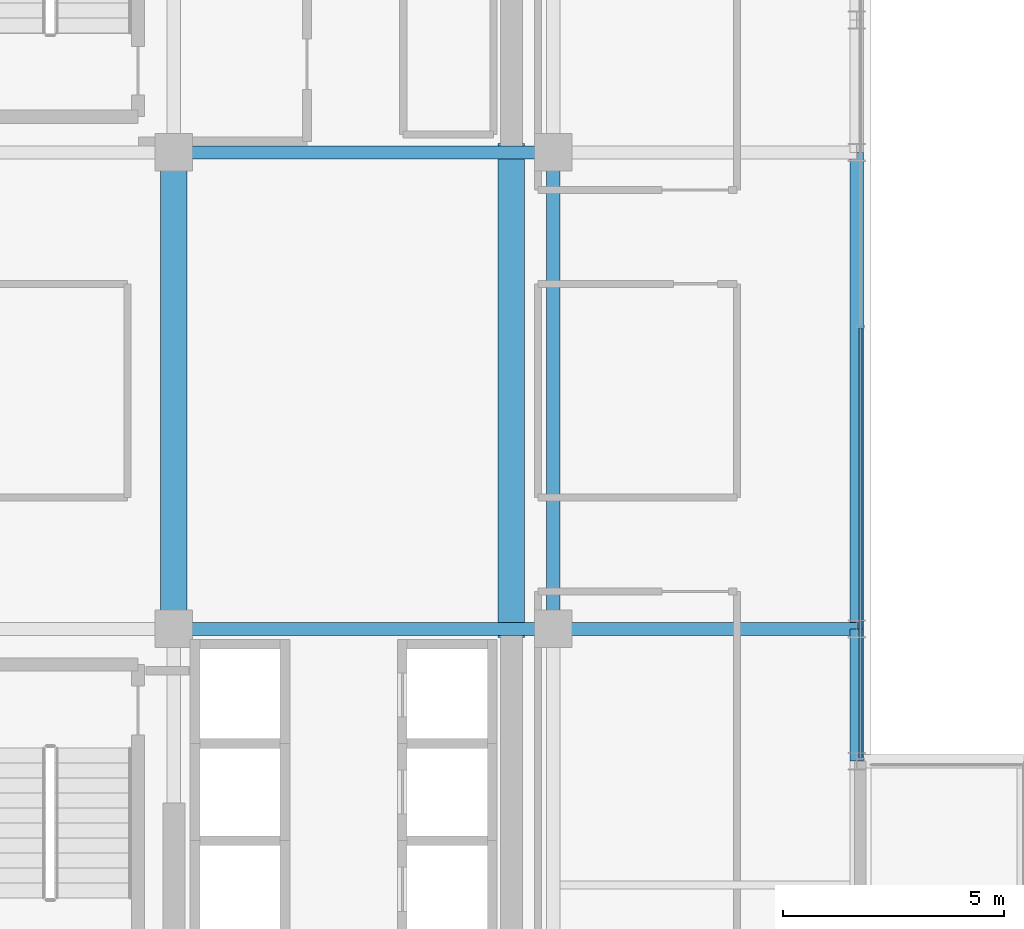
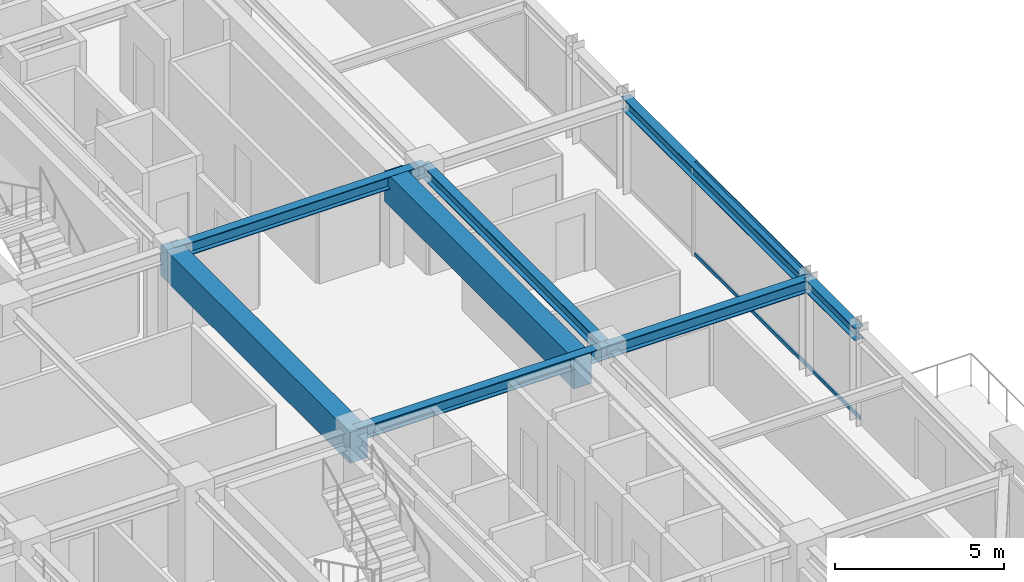
# One storey, part 16 of 42: 8 beams, 2 members, 1 element without a shape of its own.
"""IFC4 building model written with IfcOpenShell, lengths in metres."""

from ifc_helpers import new_model, si_unit, direction, frame, origin, origin_2d, place, context, subcontext, project, spatial, rectangle, hollow_rectangle, i_section, extrude, source, transform, mapped, material, material_profile, profile_set, type_object, element, aggregate, save


model = new_model("IFC4")

# Units and contexts
model_context = context("Model", 3, precision=1e-05, world=origin(), true_north=direction((0.0, 1.0)))
body_context = subcontext(model_context, "Body", "Model", "MODEL_VIEW")
ifc_project = project(units=[si_unit("LENGTHUNIT", "METRE"), si_unit("AREAUNIT", "SQUARE_METRE"), si_unit("VOLUMEUNIT", "CUBIC_METRE"), si_unit("PLANEANGLEUNIT", "RADIAN"), si_unit("MASSUNIT", "GRAM", prefix="KILO")], contexts=[model_context])

# Site, building, storey
site_placement = place(None, origin())
site = spatial("IfcSite", under=ifc_project, at=site_placement, CompositionType="ELEMENT")
building_placement = place(site_placement, origin())
building = spatial("IfcBuilding", under=site, at=building_placement, Name="Nahalor Promenade Grand Hotel", CompositionType="ELEMENT")
storey_placement = place(building_placement, frame((0.0, 0.0, 249.300048828125)))
storey = spatial("IfcBuildingStorey", under=building, at=storey_placement, Name="L64", CompositionType="ELEMENT", Elevation=249.300048828125)

# Beams
ifc_material_1 = material(Name="Concrete B-60 (C50/60)", Category="concrete")
ifc_material_profile_1 = material_profile(ifc_material_1, rectangle(XDim=0.6, YDim=1.1, at=origin_2d()), Name="RC 600x1100")
ifc_profile_set_1 = profile_set([ifc_material_profile_1], Name="Concrete B-60 (C50/60)")
beam_type_1 = type_object("IfcBeamType", Name="Beam-Lintel-RC1100", PredefinedType="LINTEL", material=ifc_profile_set_1)
shared_shape_1 = source(origin(), body_context, "Body", "SweptSolid", [
    extrude(rectangle(XDim=0.6, YDim=1.1, at=origin_2d()), origin(), (0.0, 0.0, 1.0), 11.2001953125),
])
for number, where, z_axis, x_axis, name in (
    (1, (8.39990234375, -5.60009765625, 2.85986328125), (0.0, 1.0, 0.0), (-1.0, 0.0, 0.0), "BM-L64-LINT-W"),
    (2, (16.050048828125, -5.60009765625, 2.85986328125), (0.0, 1.0, 0.0), (-1.0, 0.0, 0.0), "BM-L64-LINT-E"),
):
    element("IfcBeam", number, at=place(storey_placement, frame(where, z_axis=z_axis, x_axis=x_axis)), inside=storey, type_object=beam_type_1, Name=name, PredefinedType="LINTEL", context=body_context, shape_type="MappedRepresentation", body=[
        mapped(shared_shape_1, transform((0.0, 0.0, 0.0), scale=1.0)),
    ])
ifc_material_2 = material(Name="Steel S355JR", Category="steel")
ifc_material_profile_2 = material_profile(ifc_material_2, i_section(OverallWidth=0.3, OverallDepth=0.45, WebThickness=0.014, FlangeThickness=0.026, at=origin_2d()), Name="HEB 450")
ifc_profile_set_2 = profile_set([ifc_material_profile_2], Name="Steel S355JR")
beam_type_2 = type_object("IfcBeamType", Name="Beam-Spandrel-HEB450", PredefinedType="SPANDREL", material=ifc_profile_set_2)
shared_shape_2 = source(origin(), body_context, "Body", "SweptSolid", [
    extrude(i_section(OverallWidth=0.3, OverallDepth=0.45, WebThickness=0.014, FlangeThickness=0.026, at=origin_2d()), origin(), (0.0, 0.0, 1.0), 3.0),
])
beam_1_placement = place(storey_placement, frame((23.8798828125, -8.39990234375, 3.18505859375), z_axis=(0.0, 1.0, 0.0), x_axis=(-1.0, 0.0, 0.0)))
element("IfcBeam", 3, at=beam_1_placement, inside=storey, type_object=beam_type_2, Name="BM-L64-SP-E-1", PredefinedType="SPANDREL", context=body_context, shape_type="MappedRepresentation", body=[
    mapped(shared_shape_2, transform((0.0, 0.0, 0.0), scale=1.0)),
])
shared_shape_3 = source(origin(), body_context, "Body", "SweptSolid", [
    extrude(i_section(OverallWidth=0.3, OverallDepth=0.45, WebThickness=0.014, FlangeThickness=0.026, at=origin_2d()), origin(), (0.0, 0.0, 1.0), 10.7998046875),
])
beam_2_placement = place(storey_placement, frame((23.8798828125, -5.39990234375, 3.18505859375), z_axis=(0.0, 1.0, 0.0), x_axis=(-1.0, 0.0, 0.0)))
element("IfcBeam", 4, at=beam_2_placement, inside=storey, type_object=beam_type_2, Name="BM-L64-SP-E-2", PredefinedType="SPANDREL", context=body_context, shape_type="MappedRepresentation", body=[
    mapped(shared_shape_3, transform((0.0, 0.0, 0.0), scale=1.0)),
])
ifc_material_profile_3 = material_profile(ifc_material_2, i_section(OverallWidth=0.3, OverallDepth=0.45, WebThickness=0.014, FlangeThickness=0.026, at=origin_2d()), Name="HEB 450")
ifc_profile_set_3 = profile_set([ifc_material_profile_3], Name="Steel S355JR")
beam_type_3 = type_object("IfcBeamType", Name="Beam-Girder-HEB450", PredefinedType="BEAM", material=ifc_profile_set_3)
shared_shape_4 = source(origin(), body_context, "Body", "SweptSolid", [
    extrude(i_section(OverallWidth=0.3, OverallDepth=0.45, WebThickness=0.014, FlangeThickness=0.026, at=origin_2d()), origin(), (0.0, 0.0, 1.0), 6.8798828125),
])
beam_3_placement = place(storey_placement, frame((17.0, -5.39990234375, 3.18505859375), z_axis=(1.0, 0.0, 0.0), x_axis=(0.0, 1.0, 0.0)))
element("IfcBeam", 5, at=beam_3_placement, inside=storey, type_object=beam_type_3, Name="BM-L64-GX-1-6", PredefinedType="BEAM", context=body_context, shape_type="MappedRepresentation", body=[
    mapped(shared_shape_4, transform((0.0, 0.0, 0.0), scale=1.0)),
])
shared_shape_5 = source(origin(), body_context, "Body", "SweptSolid", [
    extrude(i_section(OverallWidth=0.3, OverallDepth=0.45, WebThickness=0.014, FlangeThickness=0.026, at=origin_2d()), origin(), (0.0, 0.0, 1.0), 8.60009765625),
])
for number, where, z_axis, x_axis, name in (
    (6, (8.39990234375, -5.39990234375, 3.18505859375), (1.0, 0.0, 0.0), (0.0, 1.0, 0.0), "BM-L64-GX-1-5"),
    (7, (8.39990234375, 5.39990234375, 3.18505859375), (1.0, 0.0, 0.0), (0.0, 1.0, 0.0), "BM-L64-GX-2-5"),
):
    element("IfcBeam", number, at=place(storey_placement, frame(where, z_axis=z_axis, x_axis=x_axis)), inside=storey, type_object=beam_type_3, Name=name, PredefinedType="BEAM", context=body_context, shape_type="MappedRepresentation", body=[
        mapped(shared_shape_5, transform((0.0, 0.0, 0.0), scale=1.0)),
    ])
shared_shape_6 = source(origin(), body_context, "Body", "SweptSolid", [
    extrude(i_section(OverallWidth=0.3, OverallDepth=0.45, WebThickness=0.014, FlangeThickness=0.026, at=origin_2d()), origin(), (0.0, 0.0, 1.0), 10.7998046875),
])
beam_4_placement = place(storey_placement, frame((17.0, -5.39990234375, 3.18505859375), z_axis=(0.0, 1.0, 0.0), x_axis=(-1.0, 0.0, 0.0)))
element("IfcBeam", 8, at=beam_4_placement, inside=storey, type_object=beam_type_3, Name="BM-L64-GY-5-2", PredefinedType="BEAM", context=body_context, shape_type="MappedRepresentation", body=[
    mapped(shared_shape_6, transform((0.0, 0.0, 0.0), scale=1.0)),
])

# Curtain wall, members
ifc_material_3 = material(Name="Anodised Bronze Aluminium EN AW-6063 T6", Category="aluminium")
curtain_wall_type = type_object("IfcCurtainWallType", Name="CW2 Typical Hotel Flush Bronze Unitised Curtain Wall", PredefinedType="USERDEFINED", material=ifc_material_3)
curtain_wall_placement = place(storey_placement, origin())
curtain_wall = element("IfcCurtainWall", 9, at=curtain_wall_placement, inside=storey, type_object=curtain_wall_type, Name="L64 Curtain Wall CW-L64-E-3", ObjectType="UNITISED_CURTAIN_WALL", PredefinedType="USERDEFINED")
ifc_material_profile_4 = material_profile(ifc_material_3, hollow_rectangle(XDim=0.065, YDim=0.13, WallThickness=0.004, at=origin_2d()), Name="CWT 65x130x4")
ifc_profile_set_4 = profile_set([ifc_material_profile_4], Name="Anodised Bronze Aluminium EN AW-6063 T6")
member_type = type_object("IfcMemberType", Name="CWT2 Typical Bronze Transom 65x130", PredefinedType="USERDEFINED", material=ifc_profile_set_4)
shared_shape_7 = source(origin(), body_context, "Body", "SweptSolid", [
    extrude(hollow_rectangle(XDim=0.065, YDim=0.13, WallThickness=0.004, at=origin_2d()), origin(), (0.0, 0.0, 1.0), 9.755859375),
])
member_1_placement = place(storey_placement, frame((23.9599609375, -8.3349609375, 0.06494140625), z_axis=(0.0, 1.0, 0.0), x_axis=(-1.0, 0.0, 0.0)))
member_1 = element("IfcMember", 10, at=member_1_placement, type_object=member_type, Name="CW-L64-E-3 Transom 0-0", ObjectType="TRANSOM", PredefinedType="USERDEFINED", context=body_context, shape_type="MappedRepresentation", body=[
    mapped(shared_shape_7, transform((0.0, 0.0, 0.0), scale=1.0)),
])
member_2_placement = place(storey_placement, frame((23.9599609375, -8.3349609375, 3.344970703125), z_axis=(0.0, 1.0, 0.0), x_axis=(-1.0, 0.0, 0.0)))
member_2 = element("IfcMember", 11, at=member_2_placement, type_object=member_type, Name="CW-L64-E-3 Transom 0-1", ObjectType="TRANSOM", PredefinedType="USERDEFINED", context=body_context, shape_type="MappedRepresentation", body=[
    mapped(shared_shape_7, transform((0.0, 0.0, 0.0), scale=1.0)),
])
aggregate(curtain_wall, [member_1, member_2])

save(model, "model.ifc")
